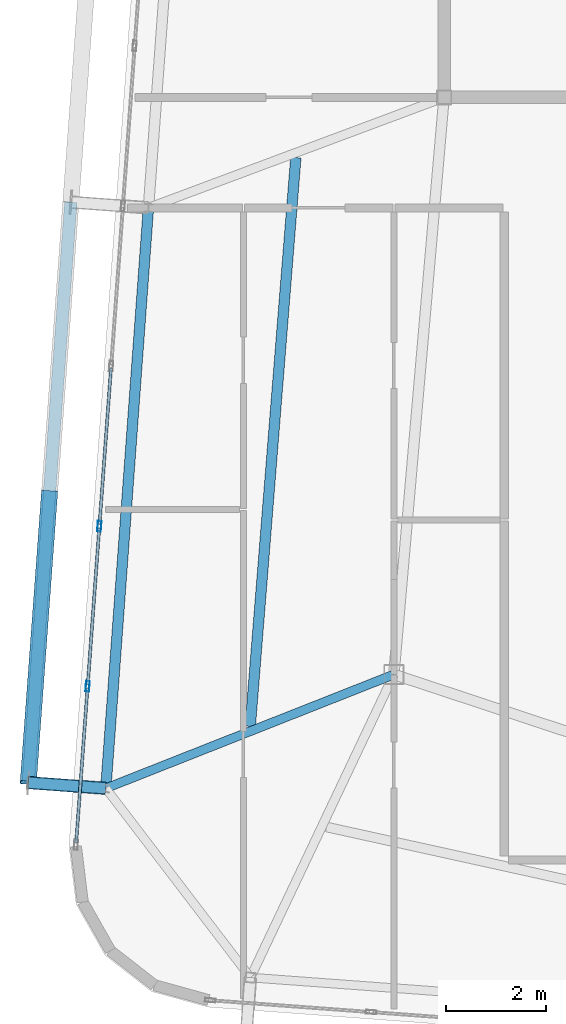
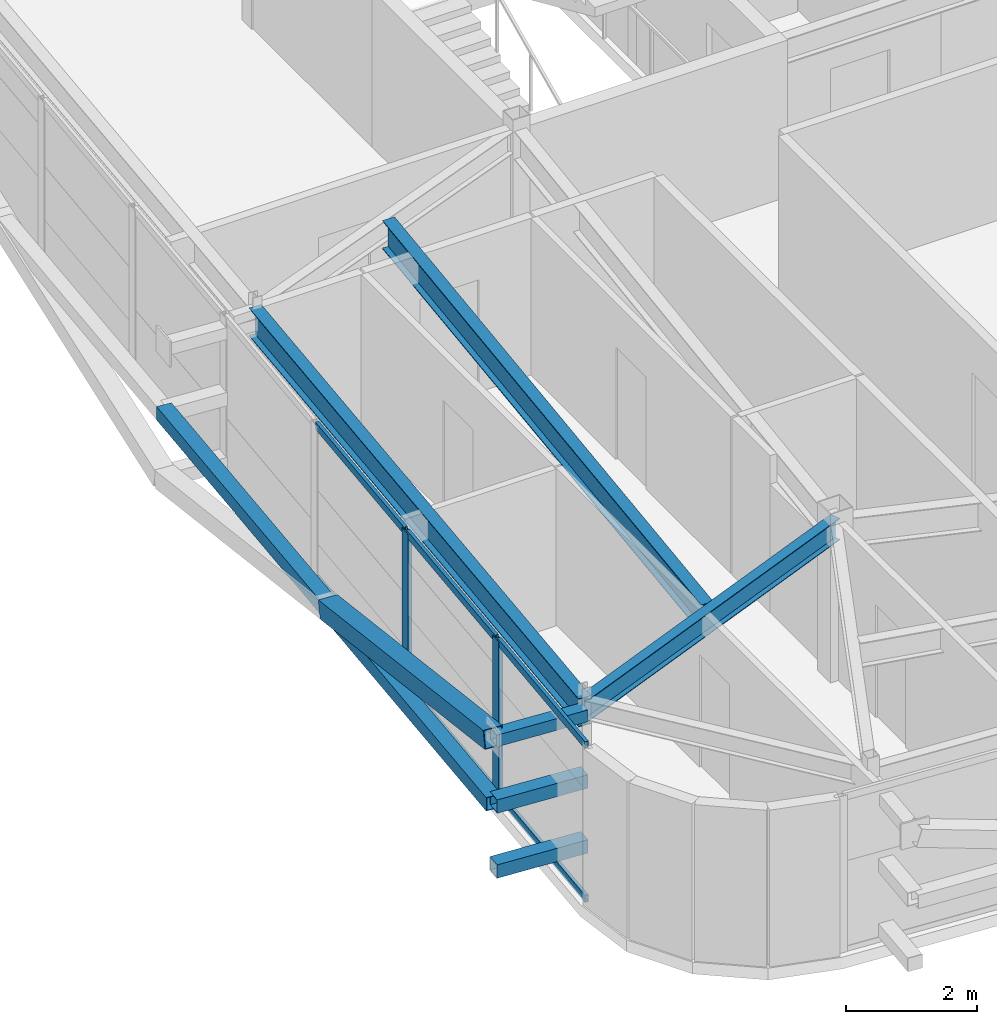
# One storey, part 11 of 42: 13 members, 3 beams, 1 element without a shape of its own.
"""IFC4 building model written with IfcOpenShell, lengths in metres."""

from ifc_helpers import new_model, si_unit, direction, frame, origin, origin_2d, place, context, subcontext, project, spatial, hollow_rectangle, i_section, extrude, source, transform, mapped, material, layer, layer_set, material_profile, profile_set, type_object, element, aggregate, save


model = new_model("IFC4")

# Units and contexts
model_context = context("Model", 3, precision=1e-05, world=origin(), true_north=direction((0.0, 1.0)))
body_context = subcontext(model_context, "Body", "Model", "MODEL_VIEW")
ifc_project = project(units=[si_unit("LENGTHUNIT", "METRE"), si_unit("AREAUNIT", "SQUARE_METRE"), si_unit("VOLUMEUNIT", "CUBIC_METRE"), si_unit("PLANEANGLEUNIT", "RADIAN"), si_unit("MASSUNIT", "GRAM", prefix="KILO")], contexts=[model_context])

# Site, building, storey
site_placement = place(None, origin())
site = spatial("IfcSite", under=ifc_project, at=site_placement, CompositionType="ELEMENT")
building_placement = place(site_placement, origin())
building = spatial("IfcBuilding", under=site, at=building_placement, Name="Taldren Reach Tower", CompositionType="ELEMENT")
storey_placement = place(building_placement, frame((0.0, 0.0, 220.85009765625)))
storey = spatial("IfcBuildingStorey", under=building, at=storey_placement, Name="L67", CompositionType="ELEMENT", Elevation=220.85009765625)

# Beams
ifc_material_1 = material(Name="Steel Gr 350 (350PLUS)", Category="steel")
ifc_material_profile_1 = material_profile(ifc_material_1, i_section(OverallWidth=0.208984375, OverallDepth=0.528076171875, WebThickness=0.009521484375, FlangeThickness=0.01318359375, at=origin_2d()), Name="530UB82.0")
ifc_profile_set_1 = profile_set([ifc_material_profile_1], Name="Steel Gr 350 (350PLUS)")
beam_type_1 = type_object("IfcBeamType", Name="SP-UB530B", PredefinedType="SPANDREL", material=ifc_profile_set_1)
shared_shape_1 = source(origin(), body_context, "Body", "SweptSolid", [
    extrude(i_section(OverallWidth=0.208984375, OverallDepth=0.528076171875, WebThickness=0.009521484375, FlangeThickness=0.01318359375, at=origin_2d()), origin(), (0.0, 0.0, 1.0), 11.60009765625),
])
beam_1_placement = place(storey_placement, frame((13.108642578125, 21.80029296875, 2.666015625), z_axis=(-0.073242167855, -0.997314185625, 0.0), x_axis=(0.997314185625, -0.073242167855, 0.0)))
element("IfcBeam", 1, at=beam_1_placement, inside=storey, type_object=beam_type_1, Name="Perimeter spandrel B5 W2-W1 L67", PredefinedType="SPANDREL", context=body_context, shape_type="MappedRepresentation", body=[
    mapped(shared_shape_1, transform((0.0, 0.0, 0.0), scale=1.0)),
])
ifc_material_profile_2 = material_profile(ifc_material_1, i_section(OverallWidth=0.177978515625, OverallDepth=0.406005859375, WebThickness=0.0078125, FlangeThickness=0.0126953125, at=origin_2d()), Name="410UB59.7")
ifc_profile_set_2 = profile_set([ifc_material_profile_2], Name="Steel Gr 350 (350PLUS)")
beam_type_2 = type_object("IfcBeamType", Name="BM-UB410", PredefinedType="BEAM", material=ifc_profile_set_2)
shared_shape_2 = source(origin(), body_context, "Body", "SweptSolid", [
    extrude(i_section(OverallWidth=0.177978515625, OverallDepth=0.406005859375, WebThickness=0.0078125, FlangeThickness=0.0126953125, at=origin_2d()), origin(), (0.0, 0.0, 1.0), 6.1728515625),
])
beam_2_placement = place(storey_placement, frame((18.0, 12.5, 2.726806640625), z_axis=(-0.930023287794, -0.367500590695, 0.0), x_axis=(0.367500590695, -0.930023287794, 0.0)))
element("IfcBeam", 2, at=beam_2_placement, inside=storey, type_object=beam_type_2, Name="Primary floor girder B5-W1 L67", PredefinedType="BEAM", context=body_context, shape_type="MappedRepresentation", body=[
    mapped(shared_shape_2, transform((0.0, 0.0, 0.0), scale=1.0)),
])
ifc_material_profile_3 = material_profile(ifc_material_1, i_section(OverallWidth=0.208984375, OverallDepth=0.532958984375, WebThickness=0.01025390625, FlangeThickness=0.015625, at=origin_2d()), Name="530UB92.4")
ifc_profile_set_3 = profile_set([ifc_material_profile_3], Name="Steel Gr 350 (350PLUS)")
beam_type_3 = type_object("IfcBeamType", Name="BM-UB530A", PredefinedType="BEAM", material=ifc_profile_set_3)
shared_shape_3 = source(origin(), body_context, "Body", "SweptSolid", [
    extrude(i_section(OverallWidth=0.208984375, OverallDepth=0.532958984375, WebThickness=0.01025390625, FlangeThickness=0.015625, at=origin_2d()), origin(), (0.0, 0.0, 1.0), 11.3740234375),
])
beam_3_placement = place(storey_placement, frame((15.137451171875, 11.464599609375, 2.663330078125), z_axis=(0.079913287803, 0.996801819036, 0.0), x_axis=(-0.996801819036, 0.079913287803, 0.0)))
element("IfcBeam", 3, at=beam_3_placement, inside=storey, type_object=beam_type_3, Name="Secondary floor beam B5 J6 L67", PredefinedType="BEAM", context=body_context, shape_type="MappedRepresentation", body=[
    mapped(shared_shape_3, transform((0.0, 0.0, 0.0), scale=1.0)),
])

# Members
ifc_material_2 = material(Name="Steel Gr 450 (C450L0)", Category="steel")
ifc_material_profile_4 = material_profile(ifc_material_2, hollow_rectangle(XDim=0.219970703125, YDim=0.219970703125, WallThickness=0.00830078125, at=origin_2d()), Name="220x220x8.2SHS")
ifc_profile_set_4 = profile_set([ifc_material_profile_4], Name="Steel Gr 450 (C450L0)")
member_type_1 = type_object("IfcMemberType", Name="MB-TIE219", PredefinedType="STRUT", material=ifc_profile_set_4)
shared_shape_4 = source(origin(), body_context, "Body", "SweptSolid", [
    extrude(hollow_rectangle(XDim=0.219970703125, YDim=0.219970703125, WallThickness=0.00830078125, at=origin_2d()), origin(), (0.0, 0.0, 1.0), 1.5458984375),
])
member_1_placement = place(storey_placement, frame((12.255126953125, 10.231689453125, 2.64990234375), z_axis=(-0.997311530447, 0.073278313559, 0.0), x_axis=(-0.073278313559, -0.997311530447, 0.0)))
element("IfcMember", 4, at=member_1_placement, inside=storey, type_object=member_type_1, Name="Exoskeleton diaphragm tie strut B5-W1 L67", PredefinedType="STRUT", context=body_context, shape_type="MappedRepresentation", body=[
    mapped(shared_shape_4, transform((0.0, 0.0, 0.0), scale=1.0)),
])
ifc_material_profile_5 = material_profile(ifc_material_2, hollow_rectangle(XDim=0.324951171875, YDim=0.324951171875, WallThickness=0.0126953125, at=origin_2d()), Name="325x325x12.7SHS")
ifc_profile_set_5 = profile_set([ifc_material_profile_5], Name="Steel Gr 450 (C450L0)")
member_type_2 = type_object("IfcMemberType", Name="MB-BR324", PredefinedType="BRACE", material=ifc_profile_set_5)
shared_shape_5 = source(origin(), body_context, "Body", "SweptSolid", [
    extrude(hollow_rectangle(XDim=0.324951171875, YDim=0.324951171875, WallThickness=0.0126953125, at=origin_2d()), origin(), (0.0, 0.0, 1.0), 5.92578125),
])
member_2_placement = place(storey_placement, frame((11.137939453125, 16.12939453125, 1.434814453125), z_axis=(-0.071644948114, -0.976126368983, 0.205047099921), x_axis=(0.997317259472, -0.073200300267, 0.0)))
element("IfcMember", 5, at=member_2_placement, inside=storey, type_object=member_type_2, Name="Exoskeleton Diagrid Brace B5-W1 L67", PredefinedType="BRACE", context=body_context, shape_type="MappedRepresentation", body=[
    mapped(shared_shape_5, transform((0.0, 0.0, 0.0), scale=1.0)),
])
ifc_material_3 = material(Name="Steel Gr 350 (C350L0)", Category="steel")
ifc_material_profile_6 = material_profile(ifc_material_3, hollow_rectangle(XDim=0.25, YDim=0.25, WallThickness=0.010009765625, at=origin_2d()), Name="250x250x10.0SHS")
ifc_profile_set_6 = profile_set([ifc_material_profile_6], Name="Steel Gr 350 (C350L0)")
member_type_3 = type_object("IfcMemberType", Name="MB-POST250", PredefinedType="POST", material=ifc_profile_set_6)
shared_shape_6 = source(origin(), body_context, "Body", "SweptSolid", [
    extrude(hollow_rectangle(XDim=0.25, YDim=0.25, WallThickness=0.010009765625, at=origin_2d()), origin(), (0.0, 0.0, 1.0), 11.60009765625),
])
member_3_placement = place(storey_placement, frame((10.71337890625, 10.344970703125, 1.434814453125), z_axis=(0.073221234109, 0.997315722766, 0.0), x_axis=(-0.997315722766, 0.073221234109, 0.0)))
element("IfcMember", 6, at=member_3_placement, inside=storey, type_object=member_type_3, Name="Exoskeleton mid-height ring chord B5-W1 L67", PredefinedType="POST", context=body_context, shape_type="MappedRepresentation", body=[
    mapped(shared_shape_6, transform((0.0, 0.0, 0.0), scale=1.0)),
])
shared_shape_7 = source(origin(), body_context, "Body", "SweptSolid", [
    extrude(hollow_rectangle(XDim=0.25, YDim=0.25, WallThickness=0.010009765625, at=origin_2d()), origin(), (0.0, 0.0, 1.0), 1.5458984375),
])
for number, where, z_axis, x_axis, name in (
    (7, (12.255126953125, 10.231689453125, 0.219970703125), (-0.997311530447, 0.073278313559, 0.0), (-0.073278313559, -0.997311530447, 0.0), "Exoskeleton base diaphragm tie strut B5-W1 L67"),
    (8, (12.255126953125, 10.231689453125, 1.434814453125), (-0.997311530447, 0.073278313559, 0.0), (-0.073278313559, -0.997311530447, 0.0), "Exoskeleton mid-tier diaphragm tie B5-W1 L67"),
):
    element("IfcMember", number, at=place(storey_placement, frame(where, z_axis=z_axis, x_axis=x_axis)), inside=storey, type_object=member_type_3, Name=name, PredefinedType="POST", context=body_context, shape_type="MappedRepresentation", body=[
        mapped(shared_shape_7, transform((0.0, 0.0, 0.0), scale=1.0)),
    ])

# Curtain wall, members
ifc_material_4 = material(Name="Aluminium and Low-E Glass Unitised System", Category="aluminium")
ifc_layer = layer(ifc_material_4, 0.159912109375)
ifc_layer_set = layer_set([ifc_layer], Name="Aluminium and Low-E Glass Unitised System")
curtain_wall_type = type_object("IfcCurtainWallType", Name="CW-SYS-6", PredefinedType="NOTDEFINED", material=ifc_layer_set)
curtain_wall_placement = place(storey_placement, origin())
curtain_wall = element("IfcCurtainWall", 9, at=curtain_wall_placement, inside=storey, type_object=curtain_wall_type, Name="Unitised curtain wall CW-L67-W", PredefinedType="NOTDEFINED")
ifc_material_5 = material(Name="Anodised Aluminium 6063-T6", Category="aluminium")
ifc_material_profile_7 = material_profile(ifc_material_5, hollow_rectangle(XDim=0.074951171875, YDim=0.2099609375, WallThickness=0.00439453125, at=origin_2d()), Name="ALU-210x75x4.5RHS")
ifc_profile_set_7 = profile_set([ifc_material_profile_7], Name="Anodised Aluminium 6063-T6")
member_type_4 = type_object("IfcMemberType", Name="CW-MUL-200", PredefinedType="MULLION", material=ifc_profile_set_7)
shared_shape_8 = source(origin(), body_context, "Body", "SweptSolid", [
    extrude(hollow_rectangle(XDim=0.074951171875, YDim=0.2099609375, WallThickness=0.00439453125, at=origin_2d()), origin(), (0.0, 0.0, 1.0), 2.929931640625),
])
member_4_placement = place(storey_placement, frame((12.13134765625, 15.454833984375, 0.0), z_axis=(0.0, 0.0, 1.0), x_axis=(0.997314470951, -0.073238282558, 0.0)))
member_4 = element("IfcMember", 10, at=member_4_placement, type_object=member_type_4, Name="CW-6 mullion 7", PredefinedType="MULLION", context=body_context, shape_type="MappedRepresentation", body=[
    mapped(shared_shape_8, transform((0.0, 0.0, 0.0), scale=1.0)),
])
member_5_placement = place(storey_placement, frame((11.89697265625, 12.263427734375, 0.0), z_axis=(0.0, 0.0, 1.0), x_axis=(0.997314470951, -0.073238282558, 0.0)))
member_5 = element("IfcMember", 11, at=member_5_placement, type_object=member_type_4, Name="CW-6 mullion 8", PredefinedType="MULLION", context=body_context, shape_type="MappedRepresentation", body=[
    mapped(shared_shape_8, transform((0.0, 0.0, 0.0), scale=1.0)),
])
ifc_material_profile_8 = material_profile(ifc_material_5, hollow_rectangle(XDim=0.06005859375, YDim=0.135009765625, WallThickness=0.00341796875, at=origin_2d()), Name="ALU-135x60x3.5RHS")
ifc_profile_set_8 = profile_set([ifc_material_profile_8], Name="Anodised Aluminium 6063-T6")
member_type_5 = type_object("IfcMemberType", Name="CW-TRN-150", PredefinedType="USERDEFINED", material=ifc_profile_set_8)
shared_shape_9 = source(origin(), body_context, "Body", "SweptSolid", [
    extrude(hollow_rectangle(XDim=0.06005859375, YDim=0.135009765625, WallThickness=0.00341796875, at=origin_2d()), origin(), (0.0, 0.0, 1.0), 3.125),
])
member_6_placement = place(storey_placement, frame((12.363037109375, 18.60888671875, 0.02978515625), z_axis=(-0.073278879567, -0.997311488859, 0.0), x_axis=(0.997311488859, -0.073278879567, 0.0)))
member_6 = element("IfcMember", 12, at=member_6_placement, type_object=member_type_5, Name="CW-6 transom 6.1", ObjectType="TRANSOM", PredefinedType="USERDEFINED", context=body_context, shape_type="MappedRepresentation", body=[
    mapped(shared_shape_9, transform((0.0, 0.0, 0.0), scale=1.0)),
])
member_7_placement = place(storey_placement, frame((12.363037109375, 18.60888671875, 2.89990234375), z_axis=(-0.073278879567, -0.997311488859, 0.0), x_axis=(0.997311488859, -0.073278879567, 0.0)))
member_7 = element("IfcMember", 13, at=member_7_placement, type_object=member_type_5, Name="CW-6 transom 6.2", ObjectType="TRANSOM", PredefinedType="USERDEFINED", context=body_context, shape_type="MappedRepresentation", body=[
    mapped(shared_shape_9, transform((0.0, 0.0, 0.0), scale=1.0)),
])
member_8_placement = place(storey_placement, frame((12.128662109375, 15.41748046875, 0.02978515625), z_axis=(-0.073278879567, -0.997311488859, 0.0), x_axis=(0.997311488859, -0.073278879567, 0.0)))
member_8 = element("IfcMember", 14, at=member_8_placement, type_object=member_type_5, Name="CW-6 transom 7.1", ObjectType="TRANSOM", PredefinedType="USERDEFINED", context=body_context, shape_type="MappedRepresentation", body=[
    mapped(shared_shape_9, transform((0.0, 0.0, 0.0), scale=1.0)),
])
member_9_placement = place(storey_placement, frame((12.128662109375, 15.41748046875, 2.89990234375), z_axis=(-0.073278879567, -0.997311488859, 0.0), x_axis=(0.997311488859, -0.073278879567, 0.0)))
member_9 = element("IfcMember", 15, at=member_9_placement, type_object=member_type_5, Name="CW-6 transom 7.2", ObjectType="TRANSOM", PredefinedType="USERDEFINED", context=body_context, shape_type="MappedRepresentation", body=[
    mapped(shared_shape_9, transform((0.0, 0.0, 0.0), scale=1.0)),
])
shared_shape_10 = source(origin(), body_context, "Body", "SweptSolid", [
    extrude(hollow_rectangle(XDim=0.06005859375, YDim=0.135009765625, WallThickness=0.00341796875, at=origin_2d()), origin(), (0.0, 0.0, 1.0), 3.087646484375),
])
member_10_placement = place(storey_placement, frame((11.894287109375, 12.22607421875, 0.02978515625), z_axis=(-0.073219257406, -0.99731586789, 0.0), x_axis=(0.99731586789, -0.073219257406, 0.0)))
member_10 = element("IfcMember", 16, at=member_10_placement, type_object=member_type_5, Name="CW-6 transom 8.1", ObjectType="TRANSOM", PredefinedType="USERDEFINED", context=body_context, shape_type="MappedRepresentation", body=[
    mapped(shared_shape_10, transform((0.0, 0.0, 0.0), scale=1.0)),
])
member_11_placement = place(storey_placement, frame((11.894287109375, 12.22607421875, 2.89990234375), z_axis=(-0.073219257406, -0.99731586789, 0.0), x_axis=(0.99731586789, -0.073219257406, 0.0)))
member_11 = element("IfcMember", 17, at=member_11_placement, type_object=member_type_5, Name="CW-6 transom 8.2", ObjectType="TRANSOM", PredefinedType="USERDEFINED", context=body_context, shape_type="MappedRepresentation", body=[
    mapped(shared_shape_10, transform((0.0, 0.0, 0.0), scale=1.0)),
])
aggregate(curtain_wall, [member_4, member_5, member_6, member_7, member_8, member_9, member_10, member_11])

save(model, "model.ifc")
